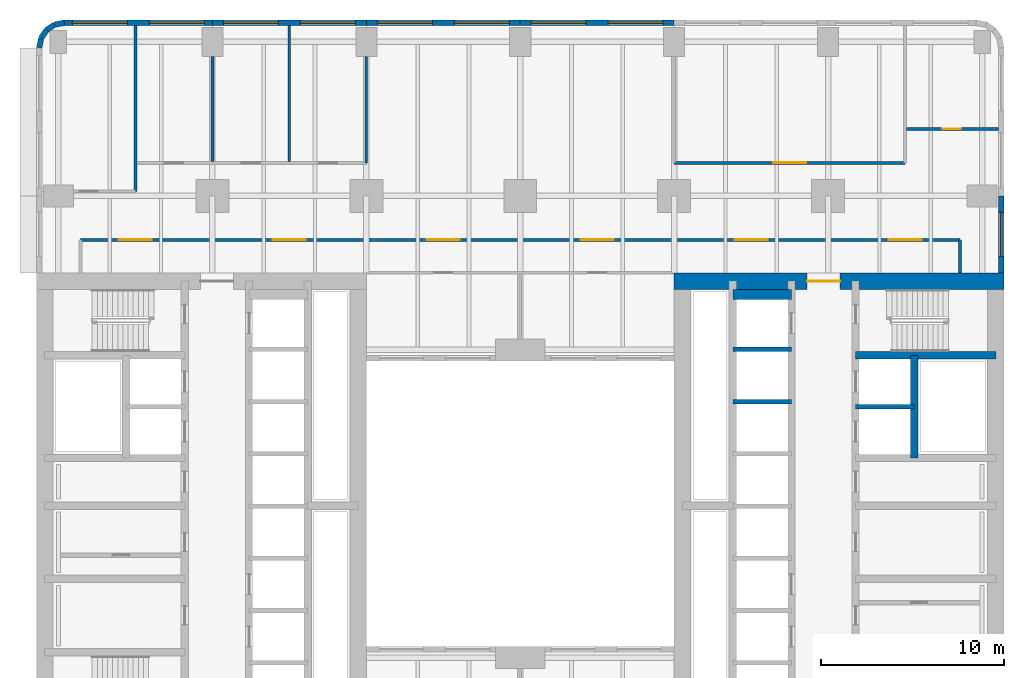
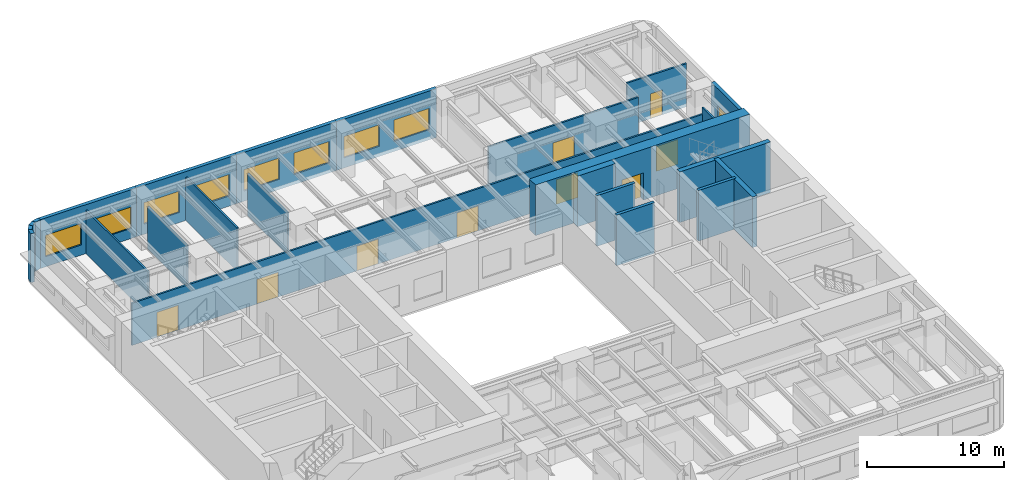
# One storey, part 7 of 14: 24 walls, 9 doors, 9 windows, 18 openings.
"""IFC4 building model written with IfcOpenShell, lengths in metres."""

import ifcopenshell
import ifcopenshell.guid

model = None  # the IFC model being written
_history = None  # IfcOwnerHistory: only IFC2X3 demands one
_inside = {}  # id of a spatial element -> (the spatial element, [elements in it])
_under = {}  # id of a project, library or spatial element -> (it, [spatial elements below it])
_declared = {}  # id of a project -> (the project, [libraries it declares])
_typed = {}  # id of a type object -> (the type object, [elements of that type])
_made_of = {}  # id of a material, layer set ... -> (it, [elements and type objects made of it])


def new_model(schema):
    """Start an empty IFC model of exactly this schema.

    Asked for "IFC4X3", IfcOpenShell would pick the latest addendum, in which some entities
    have other attributes; the version numbers below select the first issue.
    IFC2X3 requires an IfcOwnerHistory on every rooted entity: one is made here for all.
    """
    global model, _history
    if schema == "IFC4X3":
        model = ifcopenshell.file(schema_version=(4, 3, 0, 0))
    else:
        model = ifcopenshell.file(schema=schema)
    _inside.clear()
    _under.clear()
    _declared.clear()
    _typed.clear()
    _made_of.clear()
    _history = None
    if model.schema == "IFC2X3":
        org = make("IfcOrganization", Name="unknown")
        user = make(
            "IfcPersonAndOrganization",
            ThePerson=make("IfcPerson", FamilyName="unknown"),
            TheOrganization=org,
        )
        app = make(
            "IfcApplication",
            ApplicationDeveloper=org,
            Version="unknown",
            ApplicationFullName="unknown",
            ApplicationIdentifier="unknown",
        )
        _history = make(
            "IfcOwnerHistory",
            OwningUser=user,
            OwningApplication=app,
            ChangeAction="ADDED",
            CreationDate=0,
        )
    return model


def make(cls, **values):
    """One entity of the class cls with the attributes given. An attribute that is None is left unset."""
    return model.create_entity(
        cls, **{name: value for name, value in values.items() if value is not None}
    )


def rooted(cls, **values):
    """An entity with a GlobalId (a new one), such as an element, a storey or a relation."""
    return make(cls, GlobalId=ifcopenshell.guid.new(), OwnerHistory=_history, **values)


def si_unit(unit_type, name, prefix=None):
    """IfcSIUnit, for example si_unit("LENGTHUNIT", "METRE", prefix="MILLI")."""
    return make("IfcSIUnit", UnitType=unit_type, Prefix=prefix, Name=name)


def assignment(units):
    """IfcUnitAssignment: the units of a project."""
    return None if units is None else make("IfcUnitAssignment", Units=units)


def point(xyz):
    """IfcCartesianPoint."""
    return None if xyz is None else make("IfcCartesianPoint", Coordinates=xyz)


def direction(xyz):
    """IfcDirection."""
    return None if xyz is None else make("IfcDirection", DirectionRatios=xyz)


def frame(location, z_axis=None, x_axis=None):
    """IfcAxis2Placement3D, a coordinate frame: its origin and axes. An axis left out is left unset."""
    return make(
        "IfcAxis2Placement3D",
        Location=point(location),
        Axis=direction(z_axis),
        RefDirection=direction(x_axis),
    )


def frame_2d(location, x_axis=None):
    """IfcAxis2Placement2D, a coordinate frame in the plane: its origin and x axis."""
    return make(
        "IfcAxis2Placement2D", Location=point(location), RefDirection=direction(x_axis)
    )


def origin():
    """The frame at (0, 0, 0) with its axes left unset."""
    return frame((0.0, 0.0, 0.0))


def place(relative_to, where):
    """IfcLocalPlacement: puts the frame where relative to a parent placement (None: the world)."""
    return make(
        "IfcLocalPlacement", PlacementRelTo=relative_to, RelativePlacement=where
    )


def context(
    kind, dimensions, precision=None, world=None, true_north=None, identifier=None
):
    """IfcGeometricRepresentationContext, for example the 3D "Model" context."""
    return make(
        "IfcGeometricRepresentationContext",
        ContextIdentifier=identifier,
        ContextType=kind,
        CoordinateSpaceDimension=dimensions,
        Precision=precision,
        WorldCoordinateSystem=world,
        TrueNorth=true_north,
    )


def subcontext(parent, identifier, kind, view, scale=None):
    """IfcGeometricRepresentationSubContext, for example "Body" below "Model"."""
    return make(
        "IfcGeometricRepresentationSubContext",
        ContextIdentifier=identifier,
        ContextType=kind,
        ParentContext=parent,
        TargetScale=scale,
        TargetView=view,
    )


def project(units=None, contexts=None):
    """IfcProject with its units and contexts."""
    return rooted(
        "IfcProject",
        Name="project",
        RepresentationContexts=contexts,
        UnitsInContext=assignment(units),
    )


def spatial(cls, under=None, at=None, **own):
    """A site, building, storey or space (cls), placed at a placement, below another one or the project."""
    s = rooted(cls, ObjectPlacement=at, **own)
    if under is not None:
        _under.setdefault(under.id(), (under, []))[1].append(s)
    return s


def profile(cls, at=None, kind="AREA", **sizes):
    """A parametric profile (cls). Its sizes go by their IFC names, for example OverallWidth=200.0."""
    return make(cls, ProfileType=kind, Position=at, **sizes)


def rectangle(**sizes):
    """IfcRectangleProfileDef."""
    return profile("IfcRectangleProfileDef", **sizes)


def extrude(swept, where, along, depth):
    """IfcExtrudedAreaSolid: the profile swept, set in the frame where, extruded along a direction by depth."""
    return make(
        "IfcExtrudedAreaSolid",
        SweptArea=swept,
        Position=where,
        ExtrudedDirection=direction(along),
        Depth=depth,
    )


def shape(context_of_items, identifier, shape_type, items):
    """IfcShapeRepresentation: the items that make up one representation, for example the "Body"."""
    return make(
        "IfcShapeRepresentation",
        ContextOfItems=context_of_items,
        RepresentationIdentifier=identifier,
        RepresentationType=shape_type,
        Items=items,
    )


def material(Name=None, Category=None):
    """IfcMaterial."""
    return make("IfcMaterial", Name=Name, Category=Category)


def layer(
    of_material, thickness, ventilated=None, Name=None, Category=None, Priority=None
):
    """IfcMaterialLayer: one layer of a wall or slab, of a material (None: an air gap)."""
    return make(
        "IfcMaterialLayer",
        Material=of_material,
        LayerThickness=thickness,
        IsVentilated=ventilated,
        Name=Name,
        Category=Category,
        Priority=Priority,
    )


def layer_set(layers, Name=None):
    """IfcMaterialLayerSet."""
    return make("IfcMaterialLayerSet", MaterialLayers=layers, LayerSetName=Name)


def made_of(thing, what):
    """Note that an element or type object is made of a material, layer set ...; save() writes the relation."""
    if what is not None:
        _made_of.setdefault(what.id(), (what, []))[1].append(thing)
    return thing


def type_object(cls, material=None, **own):
    """A type object (cls), such as IfcWallType, which elements share."""
    return made_of(rooted(cls, **own), material)


def element(
    cls,
    number,
    at=None,
    inside=None,
    cuts=None,
    type_object=None,
    material=None,
    context=None,
    identifier="Body",
    shape_type=None,
    held_by="IfcProductDefinitionShape",
    body=None,
    shapes=None,
    **own,
):
    """One element of the class cls, such as IfcWall. Its Tag is "e" and its number.

    at: its placement. inside: the storey or other place that contains it. cuts: it is an
    opening in that element (IfcRelVoidsElement). A single representation is given by context,
    identifier, shape_type and body (its items); several are given by shapes. held_by: the class
    of the entity that holds the representations. save() writes the other relations.
    """
    e = rooted(cls, Tag="e%d" % number, ObjectPlacement=at, **own)
    if body is not None:
        shapes = [shape(context, identifier, shape_type, body)]
    if shapes is not None:
        e.Representation = make(held_by, Representations=shapes)
    if inside is not None:
        _inside.setdefault(inside.id(), (inside, []))[1].append(e)
    if cuts is not None:
        rooted(
            "IfcRelVoidsElement", RelatingBuildingElement=cuts, RelatedOpeningElement=e
        )
    if type_object is not None:
        _typed.setdefault(type_object.id(), (type_object, []))[1].append(e)
    return made_of(e, material)


def fill(opening, filler):
    """IfcRelFillsElement: the door or window that sits in an opening."""
    return rooted(
        "IfcRelFillsElement",
        RelatingOpeningElement=opening,
        RelatedBuildingElement=filler,
    )


def aggregate(whole, parts):
    """IfcRelAggregates: a whole, such as a stair, and the parts it consists of."""
    return rooted("IfcRelAggregates", RelatingObject=whole, RelatedObjects=parts)


def save(model, path):
    """Write the relations noted so far, then the file.

    IfcRelAggregates (storeys below a building ...), IfcRelContainedInSpatialStructure (elements
    in a storey), IfcRelDefinesByType, IfcRelAssociatesMaterial and IfcRelDeclares: one each for
    every whole, place, type object, material and project.
    """
    for whole, parts in _under.values():
        aggregate(whole, parts)
    for where, things in _inside.values():
        rooted(
            "IfcRelContainedInSpatialStructure",
            RelatedElements=things,
            RelatingStructure=where,
        )
    for kind, things in _typed.values():
        rooted("IfcRelDefinesByType", RelatedObjects=things, RelatingType=kind)
    for what, things in _made_of.values():
        rooted("IfcRelAssociatesMaterial", RelatedObjects=things, RelatingMaterial=what)
    for by, libraries in _declared.values():
        rooted("IfcRelDeclares", RelatingContext=by, RelatedDefinitions=libraries)
    model.write(path)


model = new_model("IFC4")

# Units and contexts
model_context = context("Model", 3, precision=1e-05, world=origin(), true_north=direction((0.0, 1.0)))
body_context = subcontext(model_context, "Body", "Model", "MODEL_VIEW")
ifc_project = project(units=[si_unit("LENGTHUNIT", "METRE"), si_unit("AREAUNIT", "SQUARE_METRE"), si_unit("VOLUMEUNIT", "CUBIC_METRE"), si_unit("PLANEANGLEUNIT", "RADIAN"), si_unit("MASSUNIT", "GRAM", prefix="KILO")], contexts=[model_context])

# Site, building, storey
site_placement = place(None, origin())
site = spatial("IfcSite", under=ifc_project, at=site_placement, CompositionType="ELEMENT")
building_placement = place(site_placement, origin())
building = spatial("IfcBuilding", under=site, at=building_placement, Name="Claustro Exchange Tower", CompositionType="ELEMENT")
storey_placement = place(building_placement, frame((0.0, 0.0, 77.39990234375)))
storey = spatial("IfcBuildingStorey", under=building, at=storey_placement, Name="L17", CompositionType="ELEMENT", Elevation=77.39990234375)

# Walls
ifc_material_1 = material(Name="Gypsum board on steel studs", Category="steel")
ifc_layer_1 = layer(ifc_material_1, 0.14990234375)
ifc_layer_set_1 = layer_set([ifc_layer_1], Name="Gypsum board on steel studs")
wall_type_1 = type_object("IfcWallType", Name="P1 150 plasterboard partition", PredefinedType="PARTITIONING", material=ifc_layer_set_1)
wall_1_placement = place(storey_placement, frame((4.199951171875, 42.25, 0.0), z_axis=(0.0, 0.0, 1.0), x_axis=(0.0, 1.0, 0.0)))
element("IfcWall", 1, at=wall_1_placement, inside=storey, type_object=wall_type_1, Name="Partition P1 L17", PredefinedType="PARTITIONING", context=body_context, shape_type="SweptSolid", body=[
    extrude(rectangle(XDim=9.052001953125, YDim=0.14990234375, at=frame_2d((4.52587890625, 0.0))), origin(), (0.0, 0.0, 1.0), 3.840087890625),
])
wall_2_placement = place(storey_placement, frame((8.39990234375, 43.8740234375, 0.0), z_axis=(0.0, 0.0, 1.0), x_axis=(0.0, 1.0, 0.0)))
element("IfcWall", 2, at=wall_2_placement, inside=storey, type_object=wall_type_1, Name="Partition P1 L17", PredefinedType="PARTITIONING", context=body_context, shape_type="SweptSolid", body=[
    extrude(rectangle(XDim=5.72705078125, YDim=0.14990234375, at=frame_2d((2.863525390625, 0.0))), origin(), (0.0, 0.0, 1.0), 3.739990234375),
])
wall_3_placement = place(storey_placement, frame((12.60009765625, 43.8740234375, 0.0), z_axis=(0.0, 0.0, 1.0), x_axis=(0.0, 1.0, 0.0)))
element("IfcWall", 3, at=wall_3_placement, inside=storey, type_object=wall_type_1, Name="Partition P1 L17", PredefinedType="PARTITIONING", context=body_context, shape_type="SweptSolid", body=[
    extrude(rectangle(XDim=7.427978515625, YDim=0.14990234375, at=frame_2d((3.7138671875, 0.0))), origin(), (0.0, 0.0, 1.0), 3.840087890625),
])
wall_4_placement = place(storey_placement, frame((16.800048828125, 43.800048828125, 0.0), z_axis=(0.0, 0.0, 1.0), x_axis=(0.0, 1.0, 0.0)))
element("IfcWall", 4, at=wall_4_placement, inside=storey, type_object=wall_type_1, Name="Partition P1 L17", PredefinedType="PARTITIONING", context=body_context, shape_type="SweptSolid", body=[
    extrude(rectangle(XDim=5.801025390625, YDim=0.14990234375, at=frame_2d((2.900390625, 0.0))), origin(), (0.0, 0.0, 1.0), 3.739990234375),
])

# Wall, opening, door
wall_5_placement = place(storey_placement, frame((46.27392578125, 45.64990234375, 0.0), z_axis=(0.0, 0.0, 1.0), x_axis=(1.0, 0.0, 0.0)))
wall_5 = element("IfcWall", 5, at=wall_5_placement, inside=storey, type_object=wall_type_1, Name="Partition P1 L17", PredefinedType="PARTITIONING", context=body_context, shape_type="SweptSolid", body=[
    extrude(rectangle(XDim=5.028076171875, YDim=0.14990234375, at=frame_2d((2.51416015625, 0.0))), origin(), (0.0, 0.0, 1.0), 3.840087890625),
])
opening_1_placement = place(wall_5_placement, frame((1.97607421875, 0.0, 0.0)))
opening_1 = element("IfcOpeningElement", 6, at=opening_1_placement, cuts=wall_5, Name="Opening D1", PredefinedType="OPENING", context=body_context, shape_type="SweptSolid", body=[
    extrude(rectangle(XDim=1.0, YDim=2.199951171875, at=frame_2d((0.5, 1.10009765625))), frame((0.0, 0.0849609375, 0.0), z_axis=(0.0, -1.0, 0.0), x_axis=(1.0, 0.0, 0.0)), (0.0, 0.0, 1.0), 0.169921875),
])
ifc_material_2 = material(Name="Timber door, oak veneer", Category="wood")
door_type_1 = type_object("IfcDoorType", Name="D1 1000 x 2200 single door", OperationType="SINGLE_SWING_LEFT", PredefinedType="DOOR", material=ifc_material_2)
door_1_placement = place(opening_1_placement, origin())
door_1 = element("IfcDoor", 7, at=door_1_placement, inside=storey, type_object=door_type_1, Name="Door D1 L17", OperationType="SINGLE_SWING_LEFT", OverallHeight=2.199951171875, OverallWidth=1.0, PredefinedType="DOOR", context=body_context, shape_type="SweptSolid", body=[
    extrude(rectangle(XDim=1.0, YDim=2.199951171875, at=frame_2d((0.5, 1.10009765625))), frame((0.0, 0.02490234375, 0.0), z_axis=(0.0, -1.0, 0.0), x_axis=(1.0, 0.0, 0.0)), (0.0, 0.0, 1.0), 0.050048828125),
])
fill(opening_1, door_1)

wall_6_placement = place(storey_placement, frame((33.60009765625, 43.800048828125, 0.0), z_axis=(0.0, 0.0, 1.0), x_axis=(1.0, 0.0, 0.0)))
wall_6 = element("IfcWall", 8, at=wall_6_placement, inside=storey, type_object=wall_type_1, Name="Partition P1 L17", PredefinedType="PARTITIONING", context=body_context, shape_type="SweptSolid", body=[
    extrude(rectangle(XDim=12.599853515625, YDim=0.14990234375, at=frame_2d((6.2998046875, 0.0))), origin(), (0.0, 0.0, 1.0), 3.739990234375),
])
opening_2_placement = place(wall_6_placement, frame((5.39990234375, 0.0, 0.0)))
opening_2 = element("IfcOpeningElement", 9, at=opening_2_placement, cuts=wall_6, Name="Opening D2", PredefinedType="OPENING", context=body_context, shape_type="SweptSolid", body=[
    extrude(rectangle(XDim=1.800048828125, YDim=2.199951171875, at=frame_2d((0.89990234375, 1.10009765625))), frame((0.0, 0.0849609375, 0.0), z_axis=(0.0, -1.0, 0.0), x_axis=(1.0, 0.0, 0.0)), (0.0, 0.0, 1.0), 0.169921875),
])
ifc_material_3 = material(Name="Timber door, oak veneer", Category="wood")
door_type_2 = type_object("IfcDoorType", Name="D2 1800 x 2200 double door", OperationType="DOUBLE_DOOR_SINGLE_SWING", PredefinedType="DOOR", material=ifc_material_3)
door_2_placement = place(opening_2_placement, frame((1.800048828125, 0.0, 0.0), z_axis=(0.0, 0.0, 1.0), x_axis=(-1.0, 0.0, 0.0)))
door_2 = element("IfcDoor", 10, at=door_2_placement, inside=storey, type_object=door_type_2, Name="Double door D2 L17", OperationType="DOUBLE_DOOR_SINGLE_SWING", OverallHeight=2.199951171875, OverallWidth=1.800048828125, PredefinedType="DOOR", context=body_context, shape_type="SweptSolid", body=[
    extrude(rectangle(XDim=1.800048828125, YDim=2.199951171875, at=frame_2d((0.89990234375, 1.10009765625))), frame((0.0, 0.02490234375, 0.0), z_axis=(0.0, -1.0, 0.0), x_axis=(1.0, 0.0, 0.0)), (0.0, 0.0, 1.0), 0.050048828125),
])
fill(opening_2, door_2)

# Wall, openings, doors
wall_7_placement = place(storey_placement, frame((1.199951171875, 39.60009765625, 0.0), z_axis=(0.0, 0.0, 1.0), x_axis=(1.0, 0.0, 0.0)))
wall_7 = element("IfcWall", 11, at=wall_7_placement, inside=storey, type_object=wall_type_1, Name="Partition P1 L17", PredefinedType="PARTITIONING", context=body_context, shape_type="SweptSolid", body=[
    extrude(rectangle(XDim=48.0, YDim=0.14990234375, at=frame_2d((24.0, 0.0))), origin(), (0.0, 0.0, 1.0), 3.739990234375),
])
opening_3_placement = place(wall_7_placement, frame((2.10009765625, 0.0, 0.0)))
opening_3 = element("IfcOpeningElement", 12, at=opening_3_placement, cuts=wall_7, Name="Opening D2", PredefinedType="OPENING", context=body_context, shape_type="SweptSolid", body=[
    extrude(rectangle(XDim=1.800048828125, YDim=2.199951171875, at=frame_2d((0.89990234375, 1.10009765625))), frame((0.0, 0.0849609375, 0.0), z_axis=(0.0, -1.0, 0.0), x_axis=(1.0, 0.0, 0.0)), (0.0, 0.0, 1.0), 0.169921875),
])
opening_4_placement = place(wall_7_placement, frame((10.5, 0.0, 0.0)))
opening_4 = element("IfcOpeningElement", 13, at=opening_4_placement, cuts=wall_7, Name="Opening D2", PredefinedType="OPENING", context=body_context, shape_type="SweptSolid", body=[
    extrude(rectangle(XDim=1.800048828125, YDim=2.199951171875, at=frame_2d((0.89990234375, 1.10009765625))), frame((0.0, 0.0849609375, 0.0), z_axis=(0.0, -1.0, 0.0), x_axis=(1.0, 0.0, 0.0)), (0.0, 0.0, 1.0), 0.169921875),
])
opening_5_placement = place(wall_7_placement, frame((18.89990234375, 0.0, 0.0)))
opening_5 = element("IfcOpeningElement", 14, at=opening_5_placement, cuts=wall_7, Name="Opening D2", PredefinedType="OPENING", context=body_context, shape_type="SweptSolid", body=[
    extrude(rectangle(XDim=1.800048828125, YDim=2.199951171875, at=frame_2d((0.89990234375, 1.10009765625))), frame((0.0, 0.0849609375, 0.0), z_axis=(0.0, -1.0, 0.0), x_axis=(1.0, 0.0, 0.0)), (0.0, 0.0, 1.0), 0.169921875),
])
opening_6_placement = place(wall_7_placement, frame((27.300048828125, 0.0, 0.0)))
opening_6 = element("IfcOpeningElement", 15, at=opening_6_placement, cuts=wall_7, Name="Opening D2", PredefinedType="OPENING", context=body_context, shape_type="SweptSolid", body=[
    extrude(rectangle(XDim=1.800048828125, YDim=2.199951171875, at=frame_2d((0.89990234375, 1.10009765625))), frame((0.0, 0.0849609375, 0.0), z_axis=(0.0, -1.0, 0.0), x_axis=(1.0, 0.0, 0.0)), (0.0, 0.0, 1.0), 0.169921875),
])
opening_7_placement = place(wall_7_placement, frame((35.699951171875, 0.0, 0.0)))
opening_7 = element("IfcOpeningElement", 16, at=opening_7_placement, cuts=wall_7, Name="Opening D2", PredefinedType="OPENING", context=body_context, shape_type="SweptSolid", body=[
    extrude(rectangle(XDim=1.800048828125, YDim=2.199951171875, at=frame_2d((0.89990234375, 1.10009765625))), frame((0.0, 0.0849609375, 0.0), z_axis=(0.0, -1.0, 0.0), x_axis=(1.0, 0.0, 0.0)), (0.0, 0.0, 1.0), 0.169921875),
])
opening_8_placement = place(wall_7_placement, frame((44.10009765625, 0.0, 0.0)))
opening_8 = element("IfcOpeningElement", 17, at=opening_8_placement, cuts=wall_7, Name="Opening D2", PredefinedType="OPENING", context=body_context, shape_type="SweptSolid", body=[
    extrude(rectangle(XDim=1.800048828125, YDim=2.199951171875, at=frame_2d((0.89990234375, 1.10009765625))), frame((0.0, 0.0849609375, 0.0), z_axis=(0.0, -1.0, 0.0), x_axis=(1.0, 0.0, 0.0)), (0.0, 0.0, 1.0), 0.169921875),
])
door_3_placement = place(opening_3_placement, origin())
door_3 = element("IfcDoor", 18, at=door_3_placement, inside=storey, type_object=door_type_2, Name="Double door D2 L17", OperationType="DOUBLE_DOOR_SINGLE_SWING", OverallHeight=2.199951171875, OverallWidth=1.800048828125, PredefinedType="DOOR", context=body_context, shape_type="SweptSolid", body=[
    extrude(rectangle(XDim=1.800048828125, YDim=2.199951171875, at=frame_2d((0.89990234375, 1.10009765625))), frame((0.0, 0.02490234375, 0.0), z_axis=(0.0, -1.0, 0.0), x_axis=(1.0, 0.0, 0.0)), (0.0, 0.0, 1.0), 0.050048828125),
])
fill(opening_3, door_3)
door_4_placement = place(opening_4_placement, origin())
door_4 = element("IfcDoor", 19, at=door_4_placement, inside=storey, type_object=door_type_2, Name="Double door D2 L17", OperationType="DOUBLE_DOOR_SINGLE_SWING", OverallHeight=2.199951171875, OverallWidth=1.800048828125, PredefinedType="DOOR", context=body_context, shape_type="SweptSolid", body=[
    extrude(rectangle(XDim=1.800048828125, YDim=2.199951171875, at=frame_2d((0.89990234375, 1.10009765625))), frame((0.0, 0.02490234375, 0.0), z_axis=(0.0, -1.0, 0.0), x_axis=(1.0, 0.0, 0.0)), (0.0, 0.0, 1.0), 0.050048828125),
])
fill(opening_4, door_4)
door_5_placement = place(opening_5_placement, origin())
door_5 = element("IfcDoor", 20, at=door_5_placement, inside=storey, type_object=door_type_2, Name="Double door D2 L17", OperationType="DOUBLE_DOOR_SINGLE_SWING", OverallHeight=2.199951171875, OverallWidth=1.800048828125, PredefinedType="DOOR", context=body_context, shape_type="SweptSolid", body=[
    extrude(rectangle(XDim=1.800048828125, YDim=2.199951171875, at=frame_2d((0.89990234375, 1.10009765625))), frame((0.0, 0.02490234375, 0.0), z_axis=(0.0, -1.0, 0.0), x_axis=(1.0, 0.0, 0.0)), (0.0, 0.0, 1.0), 0.050048828125),
])
fill(opening_5, door_5)
door_6_placement = place(opening_6_placement, origin())
door_6 = element("IfcDoor", 21, at=door_6_placement, inside=storey, type_object=door_type_2, Name="Double door D2 L17", OperationType="DOUBLE_DOOR_SINGLE_SWING", OverallHeight=2.199951171875, OverallWidth=1.800048828125, PredefinedType="DOOR", context=body_context, shape_type="SweptSolid", body=[
    extrude(rectangle(XDim=1.800048828125, YDim=2.199951171875, at=frame_2d((0.89990234375, 1.10009765625))), frame((0.0, 0.02490234375, 0.0), z_axis=(0.0, -1.0, 0.0), x_axis=(1.0, 0.0, 0.0)), (0.0, 0.0, 1.0), 0.050048828125),
])
fill(opening_6, door_6)
door_7_placement = place(opening_7_placement, origin())
door_7 = element("IfcDoor", 22, at=door_7_placement, inside=storey, type_object=door_type_2, Name="Double door D2 L17", OperationType="DOUBLE_DOOR_SINGLE_SWING", OverallHeight=2.199951171875, OverallWidth=1.800048828125, PredefinedType="DOOR", context=body_context, shape_type="SweptSolid", body=[
    extrude(rectangle(XDim=1.800048828125, YDim=2.199951171875, at=frame_2d((0.89990234375, 1.10009765625))), frame((0.0, 0.02490234375, 0.0), z_axis=(0.0, -1.0, 0.0), x_axis=(1.0, 0.0, 0.0)), (0.0, 0.0, 1.0), 0.050048828125),
])
fill(opening_7, door_7)
door_8_placement = place(opening_8_placement, origin())
door_8 = element("IfcDoor", 23, at=door_8_placement, inside=storey, type_object=door_type_2, Name="Double door D2 L17", OperationType="DOUBLE_DOOR_SINGLE_SWING", OverallHeight=2.199951171875, OverallWidth=1.800048828125, PredefinedType="DOOR", context=body_context, shape_type="SweptSolid", body=[
    extrude(rectangle(XDim=1.800048828125, YDim=2.199951171875, at=frame_2d((0.89990234375, 1.10009765625))), frame((0.0, 0.02490234375, 0.0), z_axis=(0.0, -1.0, 0.0), x_axis=(1.0, 0.0, 0.0)), (0.0, 0.0, 1.0), 0.050048828125),
])
fill(opening_8, door_8)

# Walls
wall_8_placement = place(storey_placement, frame((49.199951171875, 37.800048828125, 0.0), z_axis=(0.0, 0.0, 1.0), x_axis=(0.0, 1.0, 0.0)))
element("IfcWall", 24, at=wall_8_placement, inside=storey, type_object=wall_type_1, Name="Partition P1 L17", PredefinedType="PARTITIONING", context=body_context, shape_type="SweptSolid", body=[
    extrude(rectangle(XDim=1.800048828125, YDim=0.14990234375, at=frame_2d((0.89990234375, 0.0))), origin(), (0.0, 0.0, 1.0), 4.340087890625),
])
ifc_material_4 = material(Name="Concrete HA-40 (C40/50), precast, white cement, acid-etched", Category="concrete")
ifc_layer_2 = layer(ifc_material_4, 0.300048828125)
ifc_layer_set_2 = layer_set([ifc_layer_2], Name="Concrete HA-40 (C40/50), precast, white cement, acid-etched")
wall_type_2 = type_object("IfcWallType", Name="PC1 300 precast concrete pier panel", PredefinedType="SOLIDWALL", material=ifc_layer_set_2)
wall_9_placement = place(storey_placement, frame((-1.050048828125, 50.085205078125, 0.0), z_axis=(0.0, 0.0, 1.0), x_axis=(0.195073962632, 0.980788534345, 0.0)))
element("IfcWall", 25, at=wall_9_placement, inside=storey, type_object=wall_type_2, Name="Precast pier panel PC1 L17", PredefinedType="SOLIDWALL", context=body_context, shape_type="SweptSolid", body=[
    extrude(rectangle(XDim=0.540771484375, YDim=0.300048828125, at=frame_2d((0.2705078125, 0.0))), origin(), (0.0, 0.0, 1.0), 4.340087890625),
])
for number, where, z_axis, x_axis, name in (
    (26, (-0.944580078125, 50.615478515625, 0.0), (0.0, 0.0, 1.0), (0.555557463938, 0.831478144188, 0.0), "Precast pier panel PC1 L17"),
    (27, (-0.652587890625, 51.052490234375, 0.0), (0.0, 0.0, 1.0), (0.831478144188, 0.555557463938, 0.0), "Precast pier panel PC1 L17"),
):
    element("IfcWall", number, at=place(storey_placement, frame(where, z_axis=z_axis, x_axis=x_axis)), inside=storey, type_object=wall_type_2, Name=name, PredefinedType="SOLIDWALL", context=body_context, shape_type="SweptSolid", body=[
        extrude(rectangle(XDim=0.525634765625, YDim=0.300048828125, at=frame_2d((0.2626953125, 0.0))), origin(), (0.0, 0.0, 1.0), 4.340087890625),
    ])
wall_10_placement = place(storey_placement, frame((-0.215576171875, 51.344482421875, 0.0), z_axis=(0.0, 0.0, 1.0), x_axis=(0.980788534345, 0.195073962632, 0.0)))
element("IfcWall", 28, at=wall_10_placement, inside=storey, type_object=wall_type_2, Name="Precast pier panel PC1 L17", PredefinedType="SOLIDWALL", context=body_context, shape_type="SweptSolid", body=[
    extrude(rectangle(XDim=0.540771484375, YDim=0.300048828125, at=frame_2d((0.2705078125, 0.0))), origin(), (0.0, 0.0, 1.0), 4.340087890625),
])

# Wall, openings, windows
wall_11_placement = place(storey_placement, frame((0.314697265625, 51.449951171875, 0.0), z_axis=(0.0, 0.0, 1.0), x_axis=(1.0, 0.0, 0.0)))
wall_11 = element("IfcWall", 29, at=wall_11_placement, inside=storey, type_object=wall_type_2, Name="Precast pier panel PC1 L17", PredefinedType="SOLIDWALL", context=body_context, shape_type="SweptSolid", body=[
    extrude(rectangle(XDim=8.085205078125, YDim=0.300048828125, at=frame_2d((4.04248046875, 0.0))), origin(), (0.0, 0.0, 1.0), 4.340087890625),
])
opening_9_placement = place(wall_11_placement, frame((0.442626953125, 0.0, 0.89990234375)))
opening_9 = element("IfcOpeningElement", 30, at=opening_9_placement, cuts=wall_11, Name="Opening W1", PredefinedType="OPENING", context=body_context, shape_type="SweptSolid", body=[
    extrude(rectangle(XDim=3.0, YDim=1.89990234375, at=frame_2d((1.5, 0.949951171875))), frame((0.0, 0.159912109375, 0.0), z_axis=(0.0, -1.0, 0.0), x_axis=(1.0, 0.0, 0.0)), (0.0, 0.0, 1.0), 0.320068359375),
])
opening_10_placement = place(wall_11_placement, frame((4.642578125, 0.0, 0.89990234375)))
opening_10 = element("IfcOpeningElement", 31, at=opening_10_placement, cuts=wall_11, Name="Opening W1", PredefinedType="OPENING", context=body_context, shape_type="SweptSolid", body=[
    extrude(rectangle(XDim=3.0, YDim=1.89990234375, at=frame_2d((1.5, 0.949951171875))), frame((0.0, 0.159912109375, 0.0), z_axis=(0.0, -1.0, 0.0), x_axis=(1.0, 0.0, 0.0)), (0.0, 0.0, 1.0), 0.320068359375),
])
ifc_material_5 = material(Name="Aluminium frame, clear double glazing", Category="aluminium")
window_type_1 = type_object("IfcWindowType", Name="W1 3000 x 1900 window", PartitioningType="SINGLE_PANEL", PredefinedType="WINDOW", material=ifc_material_5)
window_1_placement = place(opening_9_placement, origin())
window_1 = element("IfcWindow", 32, at=window_1_placement, inside=storey, type_object=window_type_1, Name="Window W1 L17", OverallHeight=1.89990234375, OverallWidth=3.0, PartitioningType="SINGLE_PANEL", PredefinedType="WINDOW", context=body_context, shape_type="SweptSolid", body=[
    extrude(rectangle(XDim=3.0, YDim=1.89990234375, at=frame_2d((1.5, 0.949951171875))), frame((0.0, 0.030029296875, 0.0), z_axis=(0.0, -1.0, 0.0), x_axis=(1.0, 0.0, 0.0)), (0.0, 0.0, 1.0), 0.06005859375),
])
fill(opening_9, window_1)
window_2_placement = place(opening_10_placement, origin())
window_2 = element("IfcWindow", 33, at=window_2_placement, inside=storey, type_object=window_type_1, Name="Window W1 L17", OverallHeight=1.89990234375, OverallWidth=3.0, PartitioningType="SINGLE_PANEL", PredefinedType="WINDOW", context=body_context, shape_type="SweptSolid", body=[
    extrude(rectangle(XDim=3.0, YDim=1.89990234375, at=frame_2d((1.5, 0.949951171875))), frame((0.0, 0.030029296875, 0.0), z_axis=(0.0, -1.0, 0.0), x_axis=(1.0, 0.0, 0.0)), (0.0, 0.0, 1.0), 0.06005859375),
])
fill(opening_10, window_2)

wall_12_placement = place(storey_placement, frame((8.39990234375, 51.449951171875, 0.0), z_axis=(0.0, 0.0, 1.0), x_axis=(1.0, 0.0, 0.0)))
wall_12 = element("IfcWall", 34, at=wall_12_placement, inside=storey, type_object=wall_type_2, Name="Precast pier panel PC1 L17", PredefinedType="SOLIDWALL", context=body_context, shape_type="SweptSolid", body=[
    extrude(rectangle(XDim=8.400146484375, YDim=0.300048828125, at=frame_2d((4.2001953125, 0.0))), origin(), (0.0, 0.0, 1.0), 4.340087890625),
])
opening_11_placement = place(wall_12_placement, frame((0.60009765625, 0.0, 0.89990234375)))
opening_11 = element("IfcOpeningElement", 35, at=opening_11_placement, cuts=wall_12, Name="Opening W1", PredefinedType="OPENING", context=body_context, shape_type="SweptSolid", body=[
    extrude(rectangle(XDim=3.0, YDim=1.89990234375, at=frame_2d((1.5, 0.949951171875))), frame((0.0, 0.159912109375, 0.0), z_axis=(0.0, -1.0, 0.0), x_axis=(1.0, 0.0, 0.0)), (0.0, 0.0, 1.0), 0.320068359375),
])
opening_12_placement = place(wall_12_placement, frame((4.800048828125, 0.0, 0.89990234375)))
opening_12 = element("IfcOpeningElement", 36, at=opening_12_placement, cuts=wall_12, Name="Opening W1", PredefinedType="OPENING", context=body_context, shape_type="SweptSolid", body=[
    extrude(rectangle(XDim=3.0, YDim=1.89990234375, at=frame_2d((1.5, 0.949951171875))), frame((0.0, 0.159912109375, 0.0), z_axis=(0.0, -1.0, 0.0), x_axis=(1.0, 0.0, 0.0)), (0.0, 0.0, 1.0), 0.320068359375),
])
window_3_placement = place(opening_11_placement, origin())
window_3 = element("IfcWindow", 37, at=window_3_placement, inside=storey, type_object=window_type_1, Name="Window W1 L17", OverallHeight=1.89990234375, OverallWidth=3.0, PartitioningType="SINGLE_PANEL", PredefinedType="WINDOW", context=body_context, shape_type="SweptSolid", body=[
    extrude(rectangle(XDim=3.0, YDim=1.89990234375, at=frame_2d((1.5, 0.949951171875))), frame((0.0, 0.030029296875, 0.0), z_axis=(0.0, -1.0, 0.0), x_axis=(1.0, 0.0, 0.0)), (0.0, 0.0, 1.0), 0.06005859375),
])
fill(opening_11, window_3)
window_4_placement = place(opening_12_placement, origin())
window_4 = element("IfcWindow", 38, at=window_4_placement, inside=storey, type_object=window_type_1, Name="Window W1 L17", OverallHeight=1.89990234375, OverallWidth=3.0, PartitioningType="SINGLE_PANEL", PredefinedType="WINDOW", context=body_context, shape_type="SweptSolid", body=[
    extrude(rectangle(XDim=3.0, YDim=1.89990234375, at=frame_2d((1.5, 0.949951171875))), frame((0.0, 0.030029296875, 0.0), z_axis=(0.0, -1.0, 0.0), x_axis=(1.0, 0.0, 0.0)), (0.0, 0.0, 1.0), 0.06005859375),
])
fill(opening_12, window_4)

wall_13_placement = place(storey_placement, frame((16.800048828125, 51.449951171875, 0.0), z_axis=(0.0, 0.0, 1.0), x_axis=(1.0, 0.0, 0.0)))
wall_13 = element("IfcWall", 39, at=wall_13_placement, inside=storey, type_object=wall_type_2, Name="Precast pier panel PC1 L17", PredefinedType="SOLIDWALL", context=body_context, shape_type="SweptSolid", body=[
    extrude(rectangle(XDim=8.39990234375, YDim=0.300048828125, at=frame_2d((4.199951171875, 0.0))), origin(), (0.0, 0.0, 1.0), 4.340087890625),
])
opening_13_placement = place(wall_13_placement, frame((0.60009765625, 0.0, 0.89990234375)))
opening_13 = element("IfcOpeningElement", 40, at=opening_13_placement, cuts=wall_13, Name="Opening W1", PredefinedType="OPENING", context=body_context, shape_type="SweptSolid", body=[
    extrude(rectangle(XDim=3.0, YDim=1.89990234375, at=frame_2d((1.5, 0.949951171875))), frame((0.0, 0.159912109375, 0.0), z_axis=(0.0, -1.0, 0.0), x_axis=(1.0, 0.0, 0.0)), (0.0, 0.0, 1.0), 0.320068359375),
])
opening_14_placement = place(wall_13_placement, frame((4.800048828125, 0.0, 0.89990234375)))
opening_14 = element("IfcOpeningElement", 41, at=opening_14_placement, cuts=wall_13, Name="Opening W1", PredefinedType="OPENING", context=body_context, shape_type="SweptSolid", body=[
    extrude(rectangle(XDim=3.0, YDim=1.89990234375, at=frame_2d((1.5, 0.949951171875))), frame((0.0, 0.159912109375, 0.0), z_axis=(0.0, -1.0, 0.0), x_axis=(1.0, 0.0, 0.0)), (0.0, 0.0, 1.0), 0.320068359375),
])
window_5_placement = place(opening_13_placement, origin())
window_5 = element("IfcWindow", 42, at=window_5_placement, inside=storey, type_object=window_type_1, Name="Window W1 L17", OverallHeight=1.89990234375, OverallWidth=3.0, PartitioningType="SINGLE_PANEL", PredefinedType="WINDOW", context=body_context, shape_type="SweptSolid", body=[
    extrude(rectangle(XDim=3.0, YDim=1.89990234375, at=frame_2d((1.5, 0.949951171875))), frame((0.0, 0.030029296875, 0.0), z_axis=(0.0, -1.0, 0.0), x_axis=(1.0, 0.0, 0.0)), (0.0, 0.0, 1.0), 0.06005859375),
])
fill(opening_13, window_5)
window_6_placement = place(opening_14_placement, origin())
window_6 = element("IfcWindow", 43, at=window_6_placement, inside=storey, type_object=window_type_1, Name="Window W1 L17", OverallHeight=1.89990234375, OverallWidth=3.0, PartitioningType="SINGLE_PANEL", PredefinedType="WINDOW", context=body_context, shape_type="SweptSolid", body=[
    extrude(rectangle(XDim=3.0, YDim=1.89990234375, at=frame_2d((1.5, 0.949951171875))), frame((0.0, 0.030029296875, 0.0), z_axis=(0.0, -1.0, 0.0), x_axis=(1.0, 0.0, 0.0)), (0.0, 0.0, 1.0), 0.06005859375),
])
fill(opening_14, window_6)

wall_14_placement = place(storey_placement, frame((25.199951171875, 51.449951171875, 0.0), z_axis=(0.0, 0.0, 1.0), x_axis=(1.0, 0.0, 0.0)))
wall_14 = element("IfcWall", 44, at=wall_14_placement, inside=storey, type_object=wall_type_2, Name="Precast pier panel PC1 L17", PredefinedType="SOLIDWALL", context=body_context, shape_type="SweptSolid", body=[
    extrude(rectangle(XDim=8.400146484375, YDim=0.300048828125, at=frame_2d((4.2001953125, 0.0))), origin(), (0.0, 0.0, 1.0), 4.340087890625),
])
opening_15_placement = place(wall_14_placement, frame((0.60009765625, 0.0, 0.89990234375)))
opening_15 = element("IfcOpeningElement", 45, at=opening_15_placement, cuts=wall_14, Name="Opening W1", PredefinedType="OPENING", context=body_context, shape_type="SweptSolid", body=[
    extrude(rectangle(XDim=3.0, YDim=1.89990234375, at=frame_2d((1.5, 0.949951171875))), frame((0.0, 0.159912109375, 0.0), z_axis=(0.0, -1.0, 0.0), x_axis=(1.0, 0.0, 0.0)), (0.0, 0.0, 1.0), 0.320068359375),
])
opening_16_placement = place(wall_14_placement, frame((4.800048828125, 0.0, 0.89990234375)))
opening_16 = element("IfcOpeningElement", 46, at=opening_16_placement, cuts=wall_14, Name="Opening W1", PredefinedType="OPENING", context=body_context, shape_type="SweptSolid", body=[
    extrude(rectangle(XDim=3.0, YDim=1.89990234375, at=frame_2d((1.5, 0.949951171875))), frame((0.0, 0.159912109375, 0.0), z_axis=(0.0, -1.0, 0.0), x_axis=(1.0, 0.0, 0.0)), (0.0, 0.0, 1.0), 0.320068359375),
])
window_7_placement = place(opening_15_placement, origin())
window_7 = element("IfcWindow", 47, at=window_7_placement, inside=storey, type_object=window_type_1, Name="Window W1 L17", OverallHeight=1.89990234375, OverallWidth=3.0, PartitioningType="SINGLE_PANEL", PredefinedType="WINDOW", context=body_context, shape_type="SweptSolid", body=[
    extrude(rectangle(XDim=3.0, YDim=1.89990234375, at=frame_2d((1.5, 0.949951171875))), frame((0.0, 0.030029296875, 0.0), z_axis=(0.0, -1.0, 0.0), x_axis=(1.0, 0.0, 0.0)), (0.0, 0.0, 1.0), 0.06005859375),
])
fill(opening_15, window_7)
window_8_placement = place(opening_16_placement, origin())
window_8 = element("IfcWindow", 48, at=window_8_placement, inside=storey, type_object=window_type_1, Name="Window W1 L17", OverallHeight=1.89990234375, OverallWidth=3.0, PartitioningType="SINGLE_PANEL", PredefinedType="WINDOW", context=body_context, shape_type="SweptSolid", body=[
    extrude(rectangle(XDim=3.0, YDim=1.89990234375, at=frame_2d((1.5, 0.949951171875))), frame((0.0, 0.030029296875, 0.0), z_axis=(0.0, -1.0, 0.0), x_axis=(1.0, 0.0, 0.0)), (0.0, 0.0, 1.0), 0.06005859375),
])
fill(opening_16, window_8)

# Wall, opening, window
wall_15_placement = place(storey_placement, frame((51.449951171875, 42.0, 0.0), z_axis=(0.0, 0.0, 1.0), x_axis=(0.0, -1.0, 0.0)))
wall_15 = element("IfcWall", 49, at=wall_15_placement, inside=storey, type_object=wall_type_2, Name="Precast pier panel PC1 L17", PredefinedType="SOLIDWALL", context=body_context, shape_type="SweptSolid", body=[
    extrude(rectangle(XDim=4.199951171875, YDim=0.300048828125, at=frame_2d((2.10009765625, 0.0))), origin(), (0.0, 0.0, 1.0), 4.340087890625),
])
opening_17_placement = place(wall_15_placement, frame((0.89990234375, 0.0, 0.89990234375)))
opening_17 = element("IfcOpeningElement", 50, at=opening_17_placement, cuts=wall_15, Name="Opening W2", PredefinedType="OPENING", context=body_context, shape_type="SweptSolid", body=[
    extrude(rectangle(XDim=2.39990234375, YDim=1.89990234375, at=frame_2d((1.199951171875, 0.949951171875))), frame((0.0, 0.159912109375, 0.0), z_axis=(0.0, -1.0, 0.0), x_axis=(1.0, 0.0, 0.0)), (0.0, 0.0, 1.0), 0.320068359375),
])
ifc_material_6 = material(Name="Aluminium frame, clear double glazing", Category="aluminium")
window_type_2 = type_object("IfcWindowType", Name="W2 2400 x 1900 window", PartitioningType="SINGLE_PANEL", PredefinedType="WINDOW", material=ifc_material_6)
window_9_placement = place(opening_17_placement, origin())
window_9 = element("IfcWindow", 51, at=window_9_placement, inside=storey, type_object=window_type_2, Name="Window W2 L17", OverallHeight=1.89990234375, OverallWidth=2.39990234375, PartitioningType="SINGLE_PANEL", PredefinedType="WINDOW", context=body_context, shape_type="SweptSolid", body=[
    extrude(rectangle(XDim=2.39990234375, YDim=1.89990234375, at=frame_2d((1.199951171875, 0.949951171875))), frame((0.0, 0.030029296875, 0.0), z_axis=(0.0, -1.0, 0.0), x_axis=(1.0, 0.0, 0.0)), (0.0, 0.0, 1.0), 0.06005859375),
])
fill(opening_17, window_9)

# Wall, opening, door
ifc_material_7 = material(Name="Concrete HA-70 (C70/85)", Category="concrete")
ifc_layer_3 = layer(ifc_material_7, 0.89990234375)
ifc_layer_set_3 = layer_set([ifc_layer_3], Name="Concrete HA-70 (C70/85)")
wall_type_3 = type_object("IfcWallType", Name="SW1 900 core shear wall", PredefinedType="SHEAR", material=ifc_layer_set_3)
wall_16_placement = place(storey_placement, frame((33.60009765625, 37.35009765625, 0.0), z_axis=(0.0, 0.0, 1.0), x_axis=(1.0, 0.0, 0.0)))
wall_16 = element("IfcWall", 52, at=wall_16_placement, inside=storey, type_object=wall_type_3, Name="Core wall SW1 E core N face L17", PredefinedType="SHEAR", context=body_context, shape_type="SweptSolid", body=[
    extrude(rectangle(XDim=18.0, YDim=0.89990234375, at=frame_2d((9.0, 0.0))), origin(), (0.0, 0.0, 1.0), 4.5),
])
opening_18_placement = place(wall_16_placement, frame((7.25, 0.0, 0.0)))
opening_18 = element("IfcOpeningElement", 53, at=opening_18_placement, cuts=wall_16, Name="Opening D3", PredefinedType="OPENING", context=body_context, shape_type="SweptSolid", body=[
    extrude(rectangle(XDim=1.800048828125, YDim=2.39990234375, at=frame_2d((0.89990234375, 1.199951171875))), frame((0.0, 0.4599609375, 0.0), z_axis=(0.0, -1.0, 0.0), x_axis=(1.0, 0.0, 0.0)), (0.0, 0.0, 1.0), 0.919921875),
])
ifc_material_8 = material(Name="Steel fire door, painted", Category="steel")
door_type_3 = type_object("IfcDoorType", Name="D3 1800 x 2400 fire-rated lobby double door", OperationType="DOUBLE_DOOR_SINGLE_SWING", PredefinedType="DOOR", material=ifc_material_8)
door_9_placement = place(opening_18_placement, frame((1.800048828125, 0.0, 0.0), z_axis=(0.0, 0.0, 1.0), x_axis=(-1.0, 0.0, 0.0)))
door_9 = element("IfcDoor", 54, at=door_9_placement, inside=storey, type_object=door_type_3, Name="Lift lobby door D3 L17", OperationType="DOUBLE_DOOR_SINGLE_SWING", OverallHeight=2.39990234375, OverallWidth=1.800048828125, PredefinedType="DOOR", context=body_context, shape_type="SweptSolid", body=[
    extrude(rectangle(XDim=1.800048828125, YDim=2.39990234375, at=frame_2d((0.89990234375, 1.199951171875))), frame((0.0, 0.02490234375, 0.0), z_axis=(0.0, -1.0, 0.0), x_axis=(1.0, 0.0, 0.0)), (0.0, 0.0, 1.0), 0.050048828125),
])
fill(opening_18, door_9)

# Walls
ifc_material_9 = material(Name="Concrete HA-50 (C50/60)", Category="concrete")
ifc_layer_4 = layer(ifc_material_9, 0.39990234375)
ifc_layer_set_4 = layer_set([ifc_layer_4], Name="Concrete HA-50 (C50/60)")
wall_type_4 = type_object("IfcWallType", Name="SW4 400 internal core wall", PredefinedType="SHEAR", material=ifc_layer_set_4)
wall_17_placement = place(storey_placement, frame((51.14990234375, 33.300048828125, 0.0), z_axis=(0.0, 0.0, 1.0), x_axis=(-1.0, 0.0, 0.0)))
element("IfcWall", 55, at=wall_17_placement, inside=storey, type_object=wall_type_4, Name="Internal core wall SW4 E core L17", PredefinedType="SHEAR", context=body_context, shape_type="SweptSolid", body=[
    extrude(rectangle(XDim=7.64990234375, YDim=0.39990234375, at=frame_2d((3.824951171875, 0.0))), origin(), (0.0, 0.0, 1.0), 4.5),
])
wall_18_placement = place(storey_placement, frame((46.699951171875, 27.699951171875, 0.0), z_axis=(0.0, 0.0, 1.0), x_axis=(0.0, 1.0, 0.0)))
element("IfcWall", 56, at=wall_18_placement, inside=storey, type_object=wall_type_4, Name="Internal core wall SW4 E core L17", PredefinedType="SHEAR", context=body_context, shape_type="SweptSolid", body=[
    extrude(rectangle(XDim=5.60009765625, YDim=0.39990234375, at=frame_2d((2.800048828125, 0.0))), origin(), (0.0, 0.0, 1.0), 4.5),
])
ifc_material_10 = material(Name="Concrete HA-50 (C50/60)", Category="concrete")
ifc_layer_5 = layer(ifc_material_10, 0.25)
ifc_layer_set_5 = layer_set([ifc_layer_5], Name="Concrete HA-50 (C50/60)")
wall_type_5 = type_object("IfcWallType", Name="SW5 250 lift shaft divider wall", PredefinedType="SHEAR", material=ifc_layer_set_5)
for number, where, z_axis, x_axis, name in (
    (57, (46.699951171875, 30.5, 0.0), (0.0, 0.0, 1.0), (-1.0, 0.0, 0.0), "Lift shaft wall E core L17"),
    (58, (40.0, 30.77490234375, 0.0), (0.0, 0.0, 1.0), (-1.0, 0.0, 0.0), "Lift shaft wall E core L17"),
    (59, (40.0, 33.625, 0.0), (0.0, 0.0, 1.0), (-1.0, 0.0, 0.0), "Lift shaft wall E core L17"),
):
    element("IfcWall", number, at=place(storey_placement, frame(where, z_axis=z_axis, x_axis=x_axis)), inside=storey, type_object=wall_type_5, Name=name, PredefinedType="SHEAR", context=body_context, shape_type="SweptSolid", body=[
        extrude(rectangle(XDim=3.199951171875, YDim=0.25, at=frame_2d((1.60009765625, 0.0))), origin(), (0.0, 0.0, 1.0), 4.5),
    ])
ifc_material_11 = material(Name="Concrete HA-50 (C50/60)", Category="concrete")
ifc_layer_6 = layer(ifc_material_11, 0.550048828125)
ifc_layer_set_6 = layer_set([ifc_layer_6], Name="Concrete HA-50 (C50/60)")
wall_type_6 = type_object("IfcWallType", Name="SW6 550 lift shaft end wall", PredefinedType="SHEAR", material=ifc_layer_set_6)
wall_19_placement = place(storey_placement, frame((40.0, 36.625, 0.0), z_axis=(0.0, 0.0, 1.0), x_axis=(-1.0, 0.0, 0.0)))
element("IfcWall", 60, at=wall_19_placement, inside=storey, type_object=wall_type_6, Name="Lift shaft wall E core L17", PredefinedType="SHEAR", context=body_context, shape_type="SweptSolid", body=[
    extrude(rectangle(XDim=3.199951171875, YDim=0.550048828125, at=frame_2d((1.60009765625, 0.0))), origin(), (0.0, 0.0, 1.0), 4.5),
])

save(model, "model.ifc")
